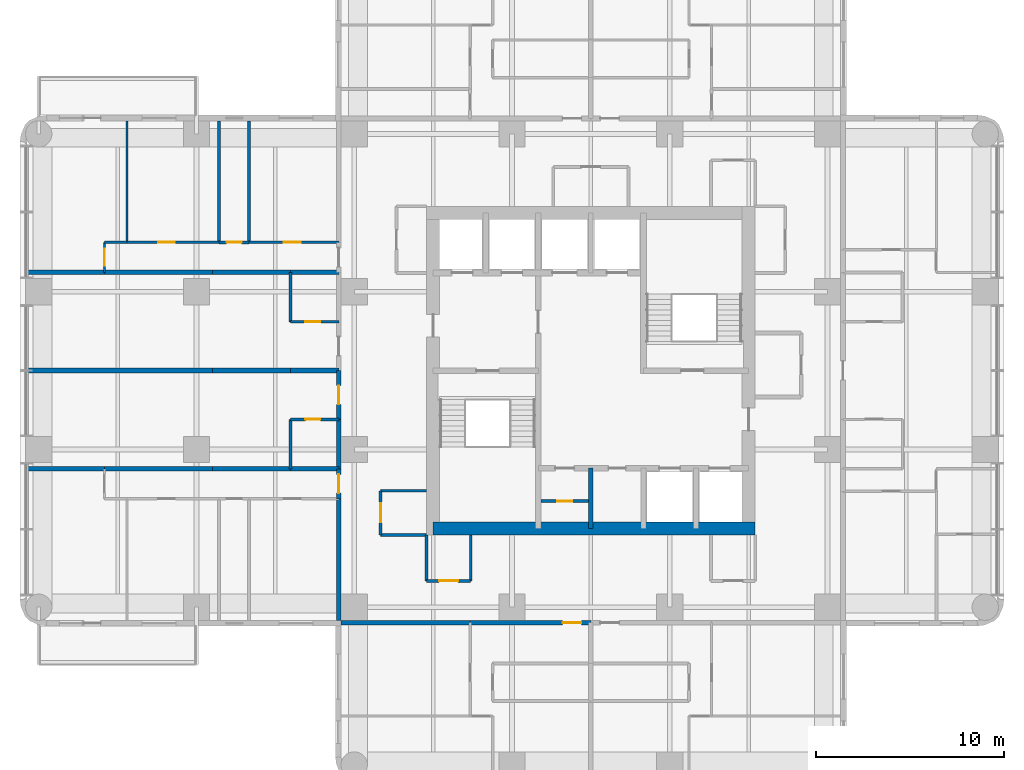
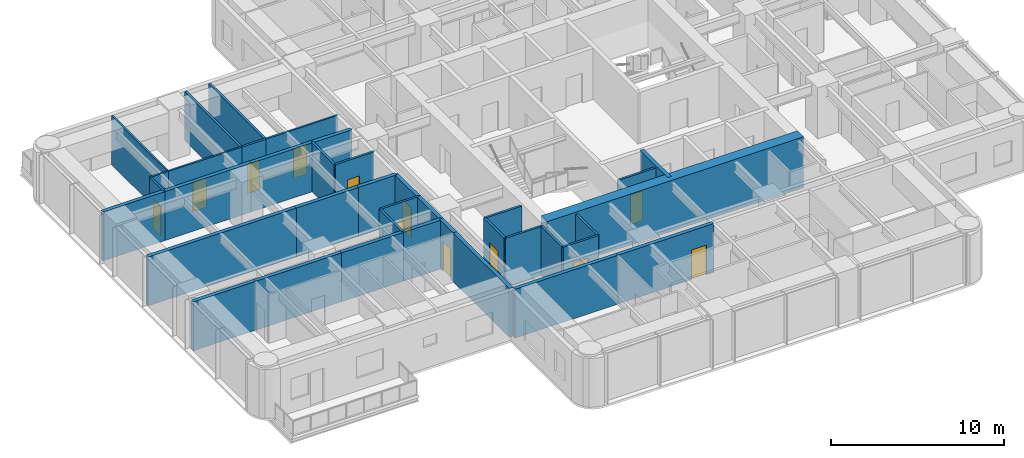
# One storey, part 5 of 11: 38 walls, 12 doors, 12 openings.
"""IFC4 building model written with IfcOpenShell, lengths in metres."""

from ifc_helpers import new_model, si_unit, direction, frame, frame_2d, origin, place, context, subcontext, project, spatial, rectangle, extrude, material, layer, layer_set, type_object, element, fill, save


model = new_model("IFC4")

# Units and contexts
model_context = context("Model", 3, precision=1e-05, world=origin(), true_north=direction((0.0, 1.0)))
body_context = subcontext(model_context, "Body", "Model", "MODEL_VIEW")
ifc_project = project(units=[si_unit("LENGTHUNIT", "METRE"), si_unit("AREAUNIT", "SQUARE_METRE"), si_unit("VOLUMEUNIT", "CUBIC_METRE"), si_unit("PLANEANGLEUNIT", "RADIAN"), si_unit("MASSUNIT", "GRAM", prefix="KILO")], contexts=[model_context])

# Site, building, storey
site_placement = place(None, origin())
site = spatial("IfcSite", under=ifc_project, at=site_placement, CompositionType="ELEMENT")
building_placement = place(site_placement, origin())
building = spatial("IfcBuilding", under=site, at=building_placement, Name="Torre Alcanfor", CompositionType="ELEMENT")
storey_placement = place(building_placement, frame((0.0, 0.0, 215.699951171875)))
storey = spatial("IfcBuildingStorey", under=building, at=storey_placement, Name="L56", CompositionType="ELEMENT", Elevation=215.699951171875)

# Wall, opening, door
ifc_material_1 = material(Name="Concrete block masonry, hollow blocks NMX-C-404 9 MPa", Category="masonry")
ifc_layer_1 = layer(ifc_material_1, 0.25)
ifc_layer_set_1 = layer_set([ifc_layer_1], Name="Apartment entrance wall 250 EI 60")
wall_type_1 = type_object("IfcWallType", Name="Apartment entrance wall 250 EI 60", PredefinedType="PARTITIONING", material=ifc_layer_set_1)
wall_1_placement = place(storey_placement, frame((29.39990234375, 15.97509765625, 0.0), z_axis=(0.0, 0.0, 1.0), x_axis=(-1.0, 0.0, 0.0)))
wall_1 = element("IfcWall", 1, at=wall_1_placement, inside=storey, type_object=wall_type_1, Name="Partition L56-CORR / L56-S2-LIVING", PredefinedType="PARTITIONING", context=body_context, shape_type="SweptSolid", body=[
    extrude(rectangle(XDim=6.428955078125, YDim=0.25, at=frame_2d((3.21435546875, 0.0))), origin(), (0.0, 0.0, 1.0), 3.449951171875),
])
opening_1_placement = place(wall_1_placement, frame((0.5, 0.0, 0.0)))
opening_1 = element("IfcOpeningElement", 2, at=opening_1_placement, cuts=wall_1, Name="Opening D-A1", PredefinedType="OPENING", context=body_context, shape_type="SweptSolid", body=[
    extrude(rectangle(XDim=1.0, YDim=2.10009765625, at=frame_2d((0.5, 1.050048828125))), frame((0.0, 0.135009765625, 0.0), z_axis=(0.0, -1.0, 0.0), x_axis=(1.0, 0.0, 0.0)), (0.0, 0.0, 1.0), 0.27001953125),
])
ifc_material_2 = material(Name="Galvanised steel sheet ASTM A653", Category="steel")
door_type_1 = type_object("IfcDoorType", Name="Apartment entrance door FD60 1000x2100", OperationType="SINGLE_SWING_LEFT", PredefinedType="DOOR", material=ifc_material_2)
door_1_placement = place(opening_1_placement, origin())
door_1 = element("IfcDoor", 3, at=door_1_placement, inside=storey, type_object=door_type_1, Name="Apartment entrance L56-S2", OperationType="SINGLE_SWING_LEFT", OverallHeight=2.10009765625, OverallWidth=1.0, PredefinedType="DOOR", context=body_context, shape_type="SweptSolid", body=[
    extrude(rectangle(XDim=1.0, YDim=2.10009765625, at=frame_2d((0.5, 1.050048828125))), frame((0.0, 0.02490234375, 0.0), z_axis=(0.0, -1.0, 0.0), x_axis=(1.0, 0.0, 0.0)), (0.0, 0.0, 1.0), 0.050048828125),
])
fill(opening_1, door_1)

# Wall
wall_2_placement = place(storey_placement, frame((22.970947265625, 15.97509765625, 0.0), z_axis=(0.0, 0.0, 1.0), x_axis=(-1.0, 0.0, 0.0)))
element("IfcWall", 4, at=wall_2_placement, inside=storey, type_object=wall_type_1, Name="Partition L56-CORR / L56-S2-BED2", PredefinedType="PARTITIONING", context=body_context, shape_type="SweptSolid", body=[
    extrude(rectangle(XDim=6.870849609375, YDim=0.25, at=frame_2d((3.435546875, 0.0))), origin(), (0.0, 0.0, 1.0), 3.449951171875),
])

# Wall, opening, door
wall_3_placement = place(storey_placement, frame((15.97509765625, 26.800048828125, 0.0), z_axis=(0.0, 0.0, 1.0), x_axis=(0.0, 1.0, 0.0)))
wall_3 = element("IfcWall", 5, at=wall_3_placement, inside=storey, type_object=wall_type_1, Name="Partition L56-CORR / L56-W1A-FOYER", PredefinedType="PARTITIONING", context=body_context, shape_type="SweptSolid", body=[
    extrude(rectangle(XDim=2.599853515625, YDim=0.25, at=frame_2d((1.2998046875, 0.0))), origin(), (0.0, 0.0, 1.0), 3.449951171875),
])
opening_2_placement = place(wall_3_placement, frame((0.800048828125, 0.0, 0.0)))
opening_2 = element("IfcOpeningElement", 6, at=opening_2_placement, cuts=wall_3, Name="Opening D-A1", PredefinedType="OPENING", context=body_context, shape_type="SweptSolid", body=[
    extrude(rectangle(XDim=1.0, YDim=2.10009765625, at=frame_2d((0.5, 1.050048828125))), frame((0.0, 0.135009765625, 0.0), z_axis=(0.0, -1.0, 0.0), x_axis=(1.0, 0.0, 0.0)), (0.0, 0.0, 1.0), 0.27001953125),
])
door_2_placement = place(opening_2_placement, origin())
door_2 = element("IfcDoor", 7, at=door_2_placement, inside=storey, type_object=door_type_1, Name="Apartment entrance L56-W1A", OperationType="SINGLE_SWING_LEFT", OverallHeight=2.10009765625, OverallWidth=1.0, PredefinedType="DOOR", context=body_context, shape_type="SweptSolid", body=[
    extrude(rectangle(XDim=1.0, YDim=2.10009765625, at=frame_2d((0.5, 1.050048828125))), frame((0.0, 0.02490234375, 0.0), z_axis=(0.0, -1.0, 0.0), x_axis=(1.0, 0.0, 0.0)), (0.0, 0.0, 1.0), 0.050048828125),
])
fill(opening_2, door_2)

# Wall
wall_4_placement = place(storey_placement, frame((15.97509765625, 24.1708984375, 0.0), z_axis=(0.0, 0.0, 1.0), x_axis=(0.0, 1.0, 0.0)))
element("IfcWall", 8, at=wall_4_placement, inside=storey, type_object=wall_type_1, Name="Partition L56-CORR / L56-W1A-BATH", PredefinedType="PARTITIONING", context=body_context, shape_type="SweptSolid", body=[
    extrude(rectangle(XDim=2.629150390625, YDim=0.25, at=frame_2d((1.314453125, 0.0))), origin(), (0.0, 0.0, 1.0), 3.449951171875),
])

# Wall, opening, door
wall_5_placement = place(storey_placement, frame((15.97509765625, 22.571044921875, 0.0), z_axis=(0.0, 0.0, 1.0), x_axis=(0.0, 1.0, 0.0)))
wall_5 = element("IfcWall", 9, at=wall_5_placement, inside=storey, type_object=wall_type_1, Name="Partition L56-CORR / L56-W1B-HALL", PredefinedType="PARTITIONING", context=body_context, shape_type="SweptSolid", body=[
    extrude(rectangle(XDim=1.599853515625, YDim=0.25, at=frame_2d((0.7998046875, 0.0))), origin(), (0.0, 0.0, 1.0), 3.449951171875),
])
opening_3_placement = place(wall_5_placement, frame((0.300048828125, 0.0, 0.0)))
opening_3 = element("IfcOpeningElement", 10, at=opening_3_placement, cuts=wall_5, Name="Opening D-A1", PredefinedType="OPENING", context=body_context, shape_type="SweptSolid", body=[
    extrude(rectangle(XDim=1.0, YDim=2.10009765625, at=frame_2d((0.5, 1.050048828125))), frame((0.0, 0.135009765625, 0.0), z_axis=(0.0, -1.0, 0.0), x_axis=(1.0, 0.0, 0.0)), (0.0, 0.0, 1.0), 0.27001953125),
])
door_3_placement = place(opening_3_placement, origin())
door_3 = element("IfcDoor", 11, at=door_3_placement, inside=storey, type_object=door_type_1, Name="Apartment entrance L56-W1B", OperationType="SINGLE_SWING_LEFT", OverallHeight=2.10009765625, OverallWidth=1.0, PredefinedType="DOOR", context=body_context, shape_type="SweptSolid", body=[
    extrude(rectangle(XDim=1.0, YDim=2.10009765625, at=frame_2d((0.5, 1.050048828125))), frame((0.0, 0.02490234375, 0.0), z_axis=(0.0, -1.0, 0.0), x_axis=(1.0, 0.0, 0.0)), (0.0, 0.0, 1.0), 0.050048828125),
])
fill(opening_3, door_3)

# Wall
wall_6_placement = place(storey_placement, frame((15.97509765625, 16.10009765625, 0.0), z_axis=(0.0, 0.0, 1.0), x_axis=(0.0, 1.0, 0.0)))
element("IfcWall", 12, at=wall_6_placement, inside=storey, type_object=wall_type_1, Name="Partition L56-CORR / L56-W1B-BED2", PredefinedType="PARTITIONING", context=body_context, shape_type="SweptSolid", body=[
    extrude(rectangle(XDim=6.470947265625, YDim=0.25, at=frame_2d((3.2353515625, 0.0))), origin(), (0.0, 0.0, 1.0), 3.449951171875),
])

# Wall, opening, door
ifc_material_3 = material(Name="Gypsum board on steel studs", Category="steel")
ifc_layer_2 = layer(ifc_material_3, 0.1201171875)
ifc_layer_set_2 = layer_set([ifc_layer_2], Name="Apartment partition 120")
wall_type_2 = type_object("IfcWallType", Name="Apartment partition 120", PredefinedType="PARTITIONING", material=ifc_layer_set_2)
wall_7_placement = place(storey_placement, frame((11.199951171875, 36.22900390625, 0.0), z_axis=(0.0, 0.0, 1.0), x_axis=(1.0, 0.0, 0.0)))
wall_7 = element("IfcWall", 13, at=wall_7_placement, inside=storey, type_object=wall_type_2, Name="Partition L56-W2B-HALL / L56-W2B-BED2", PredefinedType="PARTITIONING", context=body_context, shape_type="SweptSolid", body=[
    extrude(rectangle(XDim=4.775146484375, YDim=0.1201171875, at=frame_2d((2.3876953125, 0.0))), origin(), (0.0, 0.0, 1.0), 3.449951171875),
])
opening_4_placement = place(wall_7_placement, frame((1.85009765625, 0.0, 0.0)))
opening_4 = element("IfcOpeningElement", 14, at=opening_4_placement, cuts=wall_7, Name="Opening D-R1", PredefinedType="OPENING", context=body_context, shape_type="SweptSolid", body=[
    extrude(rectangle(XDim=0.89990234375, YDim=2.10009765625, at=frame_2d((0.449951171875, 1.050048828125))), frame((0.0, 0.070068359375, 0.0), z_axis=(0.0, -1.0, 0.0), x_axis=(1.0, 0.0, 0.0)), (0.0, 0.0, 1.0), 0.14013671875),
])
ifc_material_4 = material(Name="Timber", Category="wood")
door_type_2 = type_object("IfcDoorType", Name="Internal door 900x2100", OperationType="SINGLE_SWING_LEFT", PredefinedType="DOOR", material=ifc_material_4)
door_4_placement = place(opening_4_placement, origin())
door_4 = element("IfcDoor", 15, at=door_4_placement, inside=storey, type_object=door_type_2, Name="Door L56-W2B bed2", OperationType="SINGLE_SWING_LEFT", OverallHeight=2.10009765625, OverallWidth=0.89990234375, PredefinedType="DOOR", context=body_context, shape_type="SweptSolid", body=[
    extrude(rectangle(XDim=0.89990234375, YDim=2.10009765625, at=frame_2d((0.449951171875, 1.050048828125))), frame((0.0, 0.02490234375, 0.0), z_axis=(0.0, -1.0, 0.0), x_axis=(1.0, 0.0, 0.0)), (0.0, 0.0, 1.0), 0.050048828125),
])
fill(opening_4, door_4)

wall_8_placement = place(storey_placement, frame((4.699951171875, 36.22900390625, 0.0), z_axis=(0.0, 0.0, 1.0), x_axis=(1.0, 0.0, 0.0)))
wall_8 = element("IfcWall", 16, at=wall_8_placement, inside=storey, type_object=wall_type_2, Name="Partition L56-W2B-HALL / L56-W2B-MASTER", PredefinedType="PARTITIONING", context=body_context, shape_type="SweptSolid", body=[
    extrude(rectangle(XDim=4.900146484375, YDim=0.1201171875, at=frame_2d((2.4501953125, 0.0))), origin(), (0.0, 0.0, 1.0), 3.449951171875),
])
opening_5_placement = place(wall_8_placement, frame((1.64990234375, 0.0, 0.0)))
opening_5 = element("IfcOpeningElement", 17, at=opening_5_placement, cuts=wall_8, Name="Opening D-R1", PredefinedType="OPENING", context=body_context, shape_type="SweptSolid", body=[
    extrude(rectangle(XDim=0.89990234375, YDim=2.10009765625, at=frame_2d((0.449951171875, 1.050048828125))), frame((0.0, 0.070068359375, 0.0), z_axis=(0.0, -1.0, 0.0), x_axis=(1.0, 0.0, 0.0)), (0.0, 0.0, 1.0), 0.14013671875),
])
door_5_placement = place(opening_5_placement, origin())
door_5 = element("IfcDoor", 18, at=door_5_placement, inside=storey, type_object=door_type_2, Name="Door L56-W2B master", OperationType="SINGLE_SWING_LEFT", OverallHeight=2.10009765625, OverallWidth=0.89990234375, PredefinedType="DOOR", context=body_context, shape_type="SweptSolid", body=[
    extrude(rectangle(XDim=0.89990234375, YDim=2.10009765625, at=frame_2d((0.449951171875, 1.050048828125))), frame((0.0, 0.02490234375, 0.0), z_axis=(0.0, -1.0, 0.0), x_axis=(1.0, 0.0, 0.0)), (0.0, 0.0, 1.0), 0.050048828125),
])
fill(opening_5, door_5)

# Wall
wall_9_placement = place(storey_placement, frame((3.5, 36.22900390625, 0.0), z_axis=(0.0, 0.0, 1.0), x_axis=(1.0, 0.0, 0.0)))
element("IfcWall", 19, at=wall_9_placement, inside=storey, type_object=wall_type_2, Name="Partition L56-W2B-HALL / L56-W2B-KITCHEN", PredefinedType="PARTITIONING", context=body_context, shape_type="SweptSolid", body=[
    extrude(rectangle(XDim=1.199951171875, YDim=0.1201171875, at=frame_2d((0.60009765625, 0.0))), origin(), (0.0, 0.0, 1.0), 3.449951171875),
])

# Wall, opening, door
wall_10_placement = place(storey_placement, frame((3.5, 34.62890625, 0.0), z_axis=(0.0, 0.0, 1.0), x_axis=(0.0, 1.0, 0.0)))
wall_10 = element("IfcWall", 20, at=wall_10_placement, inside=storey, type_object=wall_type_2, Name="Partition L56-W2B-HALL / L56-W2B-LIVING", PredefinedType="PARTITIONING", context=body_context, shape_type="SweptSolid", body=[
    extrude(rectangle(XDim=1.60009765625, YDim=0.1201171875, at=frame_2d((0.800048828125, 0.0))), origin(), (0.0, 0.0, 1.0), 3.449951171875),
])
opening_6_placement = place(wall_10_placement, frame((0.35009765625, 0.0, 0.0)))
opening_6 = element("IfcOpeningElement", 21, at=opening_6_placement, cuts=wall_10, Name="Opening D-R1", PredefinedType="OPENING", context=body_context, shape_type="SweptSolid", body=[
    extrude(rectangle(XDim=0.89990234375, YDim=2.10009765625, at=frame_2d((0.449951171875, 1.050048828125))), frame((0.0, 0.070068359375, 0.0), z_axis=(0.0, -1.0, 0.0), x_axis=(1.0, 0.0, 0.0)), (0.0, 0.0, 1.0), 0.14013671875),
])
door_6_placement = place(opening_6_placement, origin())
door_6 = element("IfcDoor", 22, at=door_6_placement, inside=storey, type_object=door_type_2, Name="Door L56-W2B living", OperationType="SINGLE_SWING_LEFT", OverallHeight=2.10009765625, OverallWidth=0.89990234375, PredefinedType="DOOR", context=body_context, shape_type="SweptSolid", body=[
    extrude(rectangle(XDim=0.89990234375, YDim=2.10009765625, at=frame_2d((0.449951171875, 1.050048828125))), frame((0.0, 0.02490234375, 0.0), z_axis=(0.0, -1.0, 0.0), x_axis=(1.0, 0.0, 0.0)), (0.0, 0.0, 1.0), 0.050048828125),
])
fill(opening_6, door_6)

# Walls
wall_11_placement = place(storey_placement, frame((4.699951171875, 36.22900390625, 0.0), z_axis=(0.0, 0.0, 1.0), x_axis=(0.0, 1.0, 0.0)))
element("IfcWall", 23, at=wall_11_placement, inside=storey, type_object=wall_type_2, Name="Partition L56-W2B-MASTER / L56-W2B-KITCHEN", PredefinedType="PARTITIONING", context=body_context, shape_type="SweptSolid", body=[
    extrude(rectangle(XDim=6.470947265625, YDim=0.1201171875, at=frame_2d((3.2353515625, 0.0))), origin(), (0.0, 0.0, 1.0), 3.449951171875),
])
ifc_material_5 = material(Name="Concrete f'c 70 MPa", Category="concrete")
ifc_layer_3 = layer(ifc_material_5, 0.25)
ifc_layer_set_3 = layer_set([ifc_layer_3], Name="Core shaft wall 250 f'c70")
wall_type_3 = type_object("IfcWallType", Name="Core shaft wall 250 f'c70", PredefinedType="SHEAR", material=ifc_layer_set_3)
wall_12_placement = place(storey_placement, frame((29.39990234375, 21.0, 0.0), z_axis=(0.0, 0.0, 1.0), x_axis=(0.0, 1.0, 0.0)))
element("IfcWall", 24, at=wall_12_placement, inside=storey, type_object=wall_type_3, Name="Core wall X294S L56", PredefinedType="SHEAR", context=body_context, shape_type="SweptSolid", body=[
    extrude(rectangle(XDim=3.199951171875, YDim=0.25, at=frame_2d((1.60009765625, 0.0))), origin(), (0.0, 0.0, 1.0), 3.60009765625),
])
ifc_material_6 = material(Name="Concrete f'c 70 MPa", Category="concrete")
ifc_layer_4 = layer(ifc_material_6, 0.699951171875)
ifc_layer_set_4 = layer_set([ifc_layer_4], Name="Core wall 700 f'c70")
wall_type_4 = type_object("IfcWallType", Name="Core wall 700 f'c70", PredefinedType="SHEAR", material=ifc_layer_set_4)
wall_13_placement = place(storey_placement, frame((21.0, 21.0, 0.0), z_axis=(0.0, 0.0, 1.0), x_axis=(1.0, 0.0, 0.0)))
element("IfcWall", 25, at=wall_13_placement, inside=storey, type_object=wall_type_4, Name="Core wall OUT-S L56", PredefinedType="SHEAR", context=body_context, shape_type="SweptSolid", body=[
    extrude(rectangle(XDim=17.14990234375, YDim=0.699951171875, at=frame_2d((8.574951171875, 0.0))), origin(), (0.0, 0.0, 1.0), 3.60009765625),
])
ifc_material_7 = material(Name="Concrete block masonry, hollow blocks NMX-C-404 9 MPa", Category="masonry")
ifc_layer_5 = layer(ifc_material_7, 0.25)
ifc_layer_set_5 = layer_set([ifc_layer_5], Name="Party wall 250 EI 60")
wall_type_5 = type_object("IfcWallType", Name="Party wall 250 EI 60", PredefinedType="PARTITIONING", material=ifc_layer_set_5)
for number, where, z_axis, x_axis, name in (
    (26, (15.97509765625, 29.39990234375, 0.0), (0.0, 0.0, 1.0), (-1.0, 0.0, 0.0), "Partition L56-W1A-FOYER / L56-W2A-FOYER"),
    (27, (13.39990234375, 24.1708984375, 0.0), (0.0, 0.0, 1.0), (1.0, 0.0, 0.0), "Partition L56-W1A-BATH / L56-W1B-HALL"),
):
    element("IfcWall", number, at=place(storey_placement, frame(where, z_axis=z_axis, x_axis=x_axis)), inside=storey, type_object=wall_type_5, Name=name, PredefinedType="PARTITIONING", context=body_context, shape_type="SweptSolid", body=[
        extrude(rectangle(XDim=2.5751953125, YDim=0.25, at=frame_2d((1.28759765625, 0.0))), origin(), (0.0, 0.0, 1.0), 3.449951171875),
    ])
for number, where, z_axis, x_axis, name in (
    (28, (9.25, 24.1708984375, 0.0), (0.0, 0.0, 1.0), (1.0, 0.0, 0.0), "Partition L56-W1A-KITCHEN / L56-W1B-HALL"),
    (29, (13.39990234375, 29.39990234375, 0.0), (0.0, 0.0, 1.0), (-1.0, 0.0, 0.0), "Partition L56-W1A-KITCHEN / L56-W2A-KITCHEN"),
):
    element("IfcWall", number, at=place(storey_placement, frame(where, z_axis=z_axis, x_axis=x_axis)), inside=storey, type_object=wall_type_5, Name=name, PredefinedType="PARTITIONING", context=body_context, shape_type="SweptSolid", body=[
        extrude(rectangle(XDim=4.14990234375, YDim=0.25, at=frame_2d((2.074951171875, 0.0))), origin(), (0.0, 0.0, 1.0), 3.449951171875),
    ])
wall_14_placement = place(storey_placement, frame((3.5, 24.1708984375, 0.0), z_axis=(0.0, 0.0, 1.0), x_axis=(1.0, 0.0, 0.0)))
element("IfcWall", 30, at=wall_14_placement, inside=storey, type_object=wall_type_5, Name="Partition L56-W1A-STUDIO / L56-W1B-HALL", PredefinedType="PARTITIONING", context=body_context, shape_type="SweptSolid", body=[
    extrude(rectangle(XDim=5.75, YDim=0.25, at=frame_2d((2.875, 0.0))), origin(), (0.0, 0.0, 1.0), 3.449951171875),
])
wall_15_placement = place(storey_placement, frame((-0.64990234375, 24.1708984375, 0.0), z_axis=(0.0, 0.0, 1.0), x_axis=(1.0, 0.0, 0.0)))
element("IfcWall", 31, at=wall_15_placement, inside=storey, type_object=wall_type_5, Name="Partition L56-W1A-STUDIO / L56-W1B-LIVING", PredefinedType="PARTITIONING", context=body_context, shape_type="SweptSolid", body=[
    extrude(rectangle(XDim=4.14990234375, YDim=0.25, at=frame_2d((2.074951171875, 0.0))), origin(), (0.0, 0.0, 1.0), 3.449951171875),
])
wall_16_placement = place(storey_placement, frame((9.25, 29.39990234375, 0.0), z_axis=(0.0, 0.0, 1.0), x_axis=(-1.0, 0.0, 0.0)))
element("IfcWall", 32, at=wall_16_placement, inside=storey, type_object=wall_type_5, Name="Partition L56-W1A-STUDIO / L56-W2A-STUDIO", PredefinedType="PARTITIONING", context=body_context, shape_type="SweptSolid", body=[
    extrude(rectangle(XDim=9.89990234375, YDim=0.25, at=frame_2d((4.949951171875, 0.0))), origin(), (0.0, 0.0, 1.0), 3.449951171875),
])
wall_17_placement = place(storey_placement, frame((13.39990234375, 34.62890625, 0.0), z_axis=(0.0, 0.0, 1.0), x_axis=(1.0, 0.0, 0.0)))
element("IfcWall", 33, at=wall_17_placement, inside=storey, type_object=wall_type_5, Name="Partition L56-W2A-BATH / L56-W2B-HALL", PredefinedType="PARTITIONING", context=body_context, shape_type="SweptSolid", body=[
    extrude(rectangle(XDim=2.5751953125, YDim=0.25, at=frame_2d((1.28759765625, 0.0))), origin(), (0.0, 0.0, 1.0), 3.449951171875),
])
wall_18_placement = place(storey_placement, frame((9.25, 34.62890625, 0.0), z_axis=(0.0, 0.0, 1.0), x_axis=(1.0, 0.0, 0.0)))
element("IfcWall", 34, at=wall_18_placement, inside=storey, type_object=wall_type_5, Name="Partition L56-W2A-KITCHEN / L56-W2B-HALL", PredefinedType="PARTITIONING", context=body_context, shape_type="SweptSolid", body=[
    extrude(rectangle(XDim=4.14990234375, YDim=0.25, at=frame_2d((2.074951171875, 0.0))), origin(), (0.0, 0.0, 1.0), 3.449951171875),
])
wall_19_placement = place(storey_placement, frame((3.5, 34.62890625, 0.0), z_axis=(0.0, 0.0, 1.0), x_axis=(1.0, 0.0, 0.0)))
element("IfcWall", 35, at=wall_19_placement, inside=storey, type_object=wall_type_5, Name="Partition L56-W2A-STUDIO / L56-W2B-HALL", PredefinedType="PARTITIONING", context=body_context, shape_type="SweptSolid", body=[
    extrude(rectangle(XDim=5.75, YDim=0.25, at=frame_2d((2.875, 0.0))), origin(), (0.0, 0.0, 1.0), 3.449951171875),
])
wall_20_placement = place(storey_placement, frame((-0.64990234375, 34.62890625, 0.0), z_axis=(0.0, 0.0, 1.0), x_axis=(1.0, 0.0, 0.0)))
element("IfcWall", 36, at=wall_20_placement, inside=storey, type_object=wall_type_5, Name="Partition L56-W2A-STUDIO / L56-W2B-LIVING", PredefinedType="PARTITIONING", context=body_context, shape_type="SweptSolid", body=[
    extrude(rectangle(XDim=4.14990234375, YDim=0.25, at=frame_2d((2.074951171875, 0.0))), origin(), (0.0, 0.0, 1.0), 3.449951171875),
])
ifc_material_8 = material(Name="Concrete block masonry, hollow blocks NMX-C-404 9 MPa", Category="masonry")
ifc_layer_6 = layer(ifc_material_8, 0.14990234375)
ifc_layer_set_6 = layer_set([ifc_layer_6], Name="Residents' room partition 150")
wall_type_6 = type_object("IfcWallType", Name="Residents' room partition 150", PredefinedType="PARTITIONING", material=ifc_layer_set_6)
wall_21_placement = place(storey_placement, frame((20.64990234375, 20.64990234375, 0.0), z_axis=(0.0, 0.0, 1.0), x_axis=(0.0, -1.0, 0.0)))
element("IfcWall", 37, at=wall_21_placement, inside=storey, type_object=wall_type_6, Name="Partition L56-CORR / L56-G05", PredefinedType="PARTITIONING", context=body_context, shape_type="SweptSolid", body=[
    extrude(rectangle(XDim=2.449951171875, YDim=0.14990234375, at=frame_2d((1.22509765625, 0.0))), origin(), (0.0, 0.0, 1.0), 3.449951171875),
])

# Wall, opening, door
wall_22_placement = place(storey_placement, frame((20.64990234375, 18.199951171875, 0.0), z_axis=(0.0, 0.0, 1.0), x_axis=(1.0, 0.0, 0.0)))
wall_22 = element("IfcWall", 38, at=wall_22_placement, inside=storey, type_object=wall_type_6, Name="Partition L56-CORR / L56-G05", PredefinedType="PARTITIONING", context=body_context, shape_type="SweptSolid", body=[
    extrude(rectangle(XDim=2.35009765625, YDim=0.14990234375, at=frame_2d((1.175048828125, 0.0))), origin(), (0.0, 0.0, 1.0), 3.449951171875),
])
opening_7_placement = place(wall_22_placement, frame((0.675048828125, 0.0, 0.0)))
opening_7 = element("IfcOpeningElement", 39, at=opening_7_placement, cuts=wall_22, Name="Opening D-M1", PredefinedType="OPENING", context=body_context, shape_type="SweptSolid", body=[
    extrude(rectangle(XDim=1.0, YDim=2.10009765625, at=frame_2d((0.5, 1.050048828125))), frame((0.0, 0.0849609375, 0.0), z_axis=(0.0, -1.0, 0.0), x_axis=(1.0, 0.0, 0.0)), (0.0, 0.0, 1.0), 0.169921875),
])
ifc_material_9 = material(Name="Timber", Category="wood")
door_type_3 = type_object("IfcDoorType", Name="Residents' room door 1000x2100", OperationType="SINGLE_SWING_LEFT", PredefinedType="DOOR", material=ifc_material_9)
door_7_placement = place(opening_7_placement, origin())
door_7 = element("IfcDoor", 40, at=door_7_placement, inside=storey, type_object=door_type_3, Name="Door L56-G05 parcel room", OperationType="SINGLE_SWING_LEFT", OverallHeight=2.10009765625, OverallWidth=1.0, PredefinedType="DOOR", context=body_context, shape_type="SweptSolid", body=[
    extrude(rectangle(XDim=1.0, YDim=2.10009765625, at=frame_2d((0.5, 1.050048828125))), frame((0.0, 0.02490234375, 0.0), z_axis=(0.0, -1.0, 0.0), x_axis=(1.0, 0.0, 0.0)), (0.0, 0.0, 1.0), 0.050048828125),
])
fill(opening_7, door_7)

# Walls
for number, where, z_axis, x_axis, name in (
    (41, (23.0, 18.199951171875, 0.0), (0.0, 0.0, 1.0), (0.0, 1.0, 0.0), "Partition L56-CORR / L56-G05"),
    (42, (20.64990234375, 23.0, 0.0), (0.0, 0.0, 1.0), (-1.0, 0.0, 0.0), "Partition L56-CORR / L56-G07"),
):
    element("IfcWall", number, at=place(storey_placement, frame(where, z_axis=z_axis, x_axis=x_axis)), inside=storey, type_object=wall_type_6, Name=name, PredefinedType="PARTITIONING", context=body_context, shape_type="SweptSolid", body=[
        extrude(rectangle(XDim=2.449951171875, YDim=0.14990234375, at=frame_2d((1.22509765625, 0.0))), origin(), (0.0, 0.0, 1.0), 3.449951171875),
    ])

# Wall, opening, door
wall_23_placement = place(storey_placement, frame((18.199951171875, 23.0, 0.0), z_axis=(0.0, 0.0, 1.0), x_axis=(0.0, -1.0, 0.0)))
wall_23 = element("IfcWall", 43, at=wall_23_placement, inside=storey, type_object=wall_type_6, Name="Partition L56-CORR / L56-G07", PredefinedType="PARTITIONING", context=body_context, shape_type="SweptSolid", body=[
    extrude(rectangle(XDim=2.35009765625, YDim=0.14990234375, at=frame_2d((1.175048828125, 0.0))), origin(), (0.0, 0.0, 1.0), 3.449951171875),
])
opening_8_placement = place(wall_23_placement, frame((0.675048828125, 0.0, 0.0)))
opening_8 = element("IfcOpeningElement", 44, at=opening_8_placement, cuts=wall_23, Name="Opening D-M1", PredefinedType="OPENING", context=body_context, shape_type="SweptSolid", body=[
    extrude(rectangle(XDim=1.0, YDim=2.10009765625, at=frame_2d((0.5, 1.050048828125))), frame((0.0, 0.0849609375, 0.0), z_axis=(0.0, -1.0, 0.0), x_axis=(1.0, 0.0, 0.0)), (0.0, 0.0, 1.0), 0.169921875),
])
door_8_placement = place(opening_8_placement, origin())
door_8 = element("IfcDoor", 45, at=door_8_placement, inside=storey, type_object=door_type_3, Name="Door L56-G07 cleaners' store", OperationType="SINGLE_SWING_LEFT", OverallHeight=2.10009765625, OverallWidth=1.0, PredefinedType="DOOR", context=body_context, shape_type="SweptSolid", body=[
    extrude(rectangle(XDim=1.0, YDim=2.10009765625, at=frame_2d((0.5, 1.050048828125))), frame((0.0, 0.02490234375, 0.0), z_axis=(0.0, -1.0, 0.0), x_axis=(1.0, 0.0, 0.0)), (0.0, 0.0, 1.0), 0.050048828125),
])
fill(opening_8, door_8)

# Wall
wall_24_placement = place(storey_placement, frame((18.199951171875, 20.64990234375, 0.0), z_axis=(0.0, 0.0, 1.0), x_axis=(1.0, 0.0, 0.0)))
element("IfcWall", 46, at=wall_24_placement, inside=storey, type_object=wall_type_6, Name="Partition L56-CORR / L56-G07", PredefinedType="PARTITIONING", context=body_context, shape_type="SweptSolid", body=[
    extrude(rectangle(XDim=2.449951171875, YDim=0.14990234375, at=frame_2d((1.22509765625, 0.0))), origin(), (0.0, 0.0, 1.0), 3.449951171875),
])

# Wall, opening, door
wall_25_placement = place(storey_placement, frame((26.75, 22.449951171875, 0.0), z_axis=(0.0, 0.0, 1.0), x_axis=(1.0, 0.0, 0.0)))
wall_25 = element("IfcWall", 47, at=wall_25_placement, inside=storey, type_object=wall_type_6, Name="Partition L56-PA1R / L56-PA1C", PredefinedType="PARTITIONING", context=body_context, shape_type="SweptSolid", body=[
    extrude(rectangle(XDim=2.52490234375, YDim=0.14990234375, at=frame_2d((1.262451171875, 0.0))), origin(), (0.0, 0.0, 1.0), 3.449951171875),
])
opening_9_placement = place(wall_25_placement, frame((0.862548828125, 0.0, 0.0)))
opening_9 = element("IfcOpeningElement", 48, at=opening_9_placement, cuts=wall_25, Name="Opening D-R2", PredefinedType="OPENING", context=body_context, shape_type="SweptSolid", body=[
    extrude(rectangle(XDim=0.800048828125, YDim=2.10009765625, at=frame_2d((0.39990234375, 1.050048828125))), frame((0.0, 0.0849609375, 0.0), z_axis=(0.0, -1.0, 0.0), x_axis=(1.0, 0.0, 0.0)), (0.0, 0.0, 1.0), 0.169921875),
])
ifc_material_10 = material(Name="Timber", Category="wood")
door_type_4 = type_object("IfcDoorType", Name="Bathroom door 800x2100", OperationType="SINGLE_SWING_LEFT", PredefinedType="DOOR", material=ifc_material_10)
door_9_placement = place(opening_9_placement, frame((0.800048828125, 0.0, 0.0), z_axis=(0.0, 0.0, 1.0), x_axis=(-1.0, 0.0, 0.0)))
door_9 = element("IfcDoor", 49, at=door_9_placement, inside=storey, type_object=door_type_4, Name="Linen cupboard door L56", OperationType="SINGLE_SWING_RIGHT", OverallHeight=2.10009765625, OverallWidth=0.800048828125, PredefinedType="DOOR", context=body_context, shape_type="SweptSolid", body=[
    extrude(rectangle(XDim=0.800048828125, YDim=2.10009765625, at=frame_2d((0.400146484375, 1.050048828125))), frame((0.0, 0.025146484375, 0.0), z_axis=(0.0, -1.0, 0.0), x_axis=(1.0, 0.0, 0.0)), (0.0, 0.0, 1.0), 0.050048828125),
])
fill(opening_9, door_9)

ifc_material_11 = material(Name="Cement board on steel studs", Category="steel")
ifc_layer_7 = layer(ifc_material_11, 0.14990234375)
ifc_layer_set_7 = layer_set([ifc_layer_7], Name="Wet area partition 150")
wall_type_7 = type_object("IfcWallType", Name="Wet area partition 150", PredefinedType="PARTITIONING", material=ifc_layer_set_7)
wall_26_placement = place(storey_placement, frame((13.39990234375, 26.800048828125, 0.0), z_axis=(0.0, 0.0, 1.0), x_axis=(1.0, 0.0, 0.0)))
wall_26 = element("IfcWall", 50, at=wall_26_placement, inside=storey, type_object=wall_type_7, Name="Partition L56-W1A-FOYER / L56-W1A-BATH", PredefinedType="PARTITIONING", context=body_context, shape_type="SweptSolid", body=[
    extrude(rectangle(XDim=2.5751953125, YDim=0.14990234375, at=frame_2d((1.28759765625, 0.0))), origin(), (0.0, 0.0, 1.0), 3.449951171875),
])
opening_10_placement = place(wall_26_placement, frame((0.800048828125, 0.0, 0.0)))
opening_10 = element("IfcOpeningElement", 51, at=opening_10_placement, cuts=wall_26, Name="Opening D-R2", PredefinedType="OPENING", context=body_context, shape_type="SweptSolid", body=[
    extrude(rectangle(XDim=0.800048828125, YDim=2.10009765625, at=frame_2d((0.39990234375, 1.050048828125))), frame((0.0, 0.0849609375, 0.0), z_axis=(0.0, -1.0, 0.0), x_axis=(1.0, 0.0, 0.0)), (0.0, 0.0, 1.0), 0.169921875),
])
door_10_placement = place(opening_10_placement, frame((0.800048828125, 0.0, 0.0), z_axis=(0.0, 0.0, 1.0), x_axis=(-1.0, 0.0, 0.0)))
door_10 = element("IfcDoor", 52, at=door_10_placement, inside=storey, type_object=door_type_4, Name="Door L56-W1A bath", OperationType="SINGLE_SWING_RIGHT", OverallHeight=2.10009765625, OverallWidth=0.800048828125, PredefinedType="DOOR", context=body_context, shape_type="SweptSolid", body=[
    extrude(rectangle(XDim=0.800048828125, YDim=2.10009765625, at=frame_2d((0.400146484375, 1.050048828125))), frame((0.0, 0.025146484375, 0.0), z_axis=(0.0, -1.0, 0.0), x_axis=(1.0, 0.0, 0.0)), (0.0, 0.0, 1.0), 0.050048828125),
])
fill(opening_10, door_10)

# Wall
wall_27_placement = place(storey_placement, frame((13.39990234375, 26.800048828125, 0.0), z_axis=(0.0, 0.0, 1.0), x_axis=(0.0, -1.0, 0.0)))
element("IfcWall", 53, at=wall_27_placement, inside=storey, type_object=wall_type_7, Name="Partition L56-W1A-BATH / L56-W1A-KITCHEN", PredefinedType="PARTITIONING", context=body_context, shape_type="SweptSolid", body=[
    extrude(rectangle(XDim=2.629150390625, YDim=0.14990234375, at=frame_2d((1.314453125, 0.0))), origin(), (0.0, 0.0, 1.0), 3.449951171875),
])

# Wall, opening, door
wall_28_placement = place(storey_placement, frame((13.39990234375, 32.0, 0.0), z_axis=(0.0, 0.0, 1.0), x_axis=(1.0, 0.0, 0.0)))
wall_28 = element("IfcWall", 54, at=wall_28_placement, inside=storey, type_object=wall_type_7, Name="Partition L56-W2A-FOYER / L56-W2A-BATH", PredefinedType="PARTITIONING", context=body_context, shape_type="SweptSolid", body=[
    extrude(rectangle(XDim=2.5751953125, YDim=0.14990234375, at=frame_2d((1.28759765625, 0.0))), origin(), (0.0, 0.0, 1.0), 3.449951171875),
])
opening_11_placement = place(wall_28_placement, frame((0.800048828125, 0.0, 0.0)))
opening_11 = element("IfcOpeningElement", 55, at=opening_11_placement, cuts=wall_28, Name="Opening D-R2", PredefinedType="OPENING", context=body_context, shape_type="SweptSolid", body=[
    extrude(rectangle(XDim=0.800048828125, YDim=2.10009765625, at=frame_2d((0.39990234375, 1.050048828125))), frame((0.0, 0.0849609375, 0.0), z_axis=(0.0, -1.0, 0.0), x_axis=(1.0, 0.0, 0.0)), (0.0, 0.0, 1.0), 0.169921875),
])
door_11_placement = place(opening_11_placement, origin())
door_11 = element("IfcDoor", 56, at=door_11_placement, inside=storey, type_object=door_type_4, Name="Door L56-W2A bath", OperationType="SINGLE_SWING_LEFT", OverallHeight=2.10009765625, OverallWidth=0.800048828125, PredefinedType="DOOR", context=body_context, shape_type="SweptSolid", body=[
    extrude(rectangle(XDim=0.800048828125, YDim=2.10009765625, at=frame_2d((0.39990234375, 1.050048828125))), frame((0.0, 0.02490234375, 0.0), z_axis=(0.0, -1.0, 0.0), x_axis=(1.0, 0.0, 0.0)), (0.0, 0.0, 1.0), 0.050048828125),
])
fill(opening_11, door_11)

# Wall
wall_29_placement = place(storey_placement, frame((13.39990234375, 32.0, 0.0), z_axis=(0.0, 0.0, 1.0), x_axis=(0.0, 1.0, 0.0)))
element("IfcWall", 57, at=wall_29_placement, inside=storey, type_object=wall_type_7, Name="Partition L56-W2A-BATH / L56-W2A-KITCHEN", PredefinedType="PARTITIONING", context=body_context, shape_type="SweptSolid", body=[
    extrude(rectangle(XDim=2.62890625, YDim=0.14990234375, at=frame_2d((1.314453125, 0.0))), origin(), (0.0, 0.0, 1.0), 3.449951171875),
])

# Wall, opening, door
wall_30_placement = place(storey_placement, frame((9.60009765625, 36.22900390625, 0.0), z_axis=(0.0, 0.0, 1.0), x_axis=(1.0, 0.0, 0.0)))
wall_30 = element("IfcWall", 58, at=wall_30_placement, inside=storey, type_object=wall_type_7, Name="Partition L56-W2B-HALL / L56-W2B-BATH", PredefinedType="PARTITIONING", context=body_context, shape_type="SweptSolid", body=[
    extrude(rectangle(XDim=1.599853515625, YDim=0.14990234375, at=frame_2d((0.7998046875, 0.0))), origin(), (0.0, 0.0, 1.0), 3.449951171875),
])
opening_12_placement = place(wall_30_placement, frame((0.39990234375, 0.0, 0.0)))
opening_12 = element("IfcOpeningElement", 59, at=opening_12_placement, cuts=wall_30, Name="Opening D-R2", PredefinedType="OPENING", context=body_context, shape_type="SweptSolid", body=[
    extrude(rectangle(XDim=0.800048828125, YDim=2.10009765625, at=frame_2d((0.39990234375, 1.050048828125))), frame((0.0, 0.0849609375, 0.0), z_axis=(0.0, -1.0, 0.0), x_axis=(1.0, 0.0, 0.0)), (0.0, 0.0, 1.0), 0.169921875),
])
door_12_placement = place(opening_12_placement, origin())
door_12 = element("IfcDoor", 60, at=door_12_placement, inside=storey, type_object=door_type_4, Name="Door L56-W2B bath", OperationType="SINGLE_SWING_LEFT", OverallHeight=2.10009765625, OverallWidth=0.800048828125, PredefinedType="DOOR", context=body_context, shape_type="SweptSolid", body=[
    extrude(rectangle(XDim=0.800048828125, YDim=2.10009765625, at=frame_2d((0.39990234375, 1.050048828125))), frame((0.0, 0.02490234375, 0.0), z_axis=(0.0, -1.0, 0.0), x_axis=(1.0, 0.0, 0.0)), (0.0, 0.0, 1.0), 0.050048828125),
])
fill(opening_12, door_12)

# Walls
for number, where, z_axis, x_axis, name in (
    (61, (11.199951171875, 36.22900390625, 0.0), (0.0, 0.0, 1.0), (0.0, 1.0, 0.0), "Partition L56-W2B-BED2 / L56-W2B-BATH"),
    (62, (9.60009765625, 36.22900390625, 0.0), (0.0, 0.0, 1.0), (0.0, 1.0, 0.0), "Partition L56-W2B-BATH / L56-W2B-MASTER"),
):
    element("IfcWall", number, at=place(storey_placement, frame(where, z_axis=z_axis, x_axis=x_axis)), inside=storey, type_object=wall_type_7, Name=name, PredefinedType="PARTITIONING", context=body_context, shape_type="SweptSolid", body=[
        extrude(rectangle(XDim=6.470947265625, YDim=0.14990234375, at=frame_2d((3.2353515625, 0.0))), origin(), (0.0, 0.0, 1.0), 3.449951171875),
    ])

save(model, "model.ifc")
